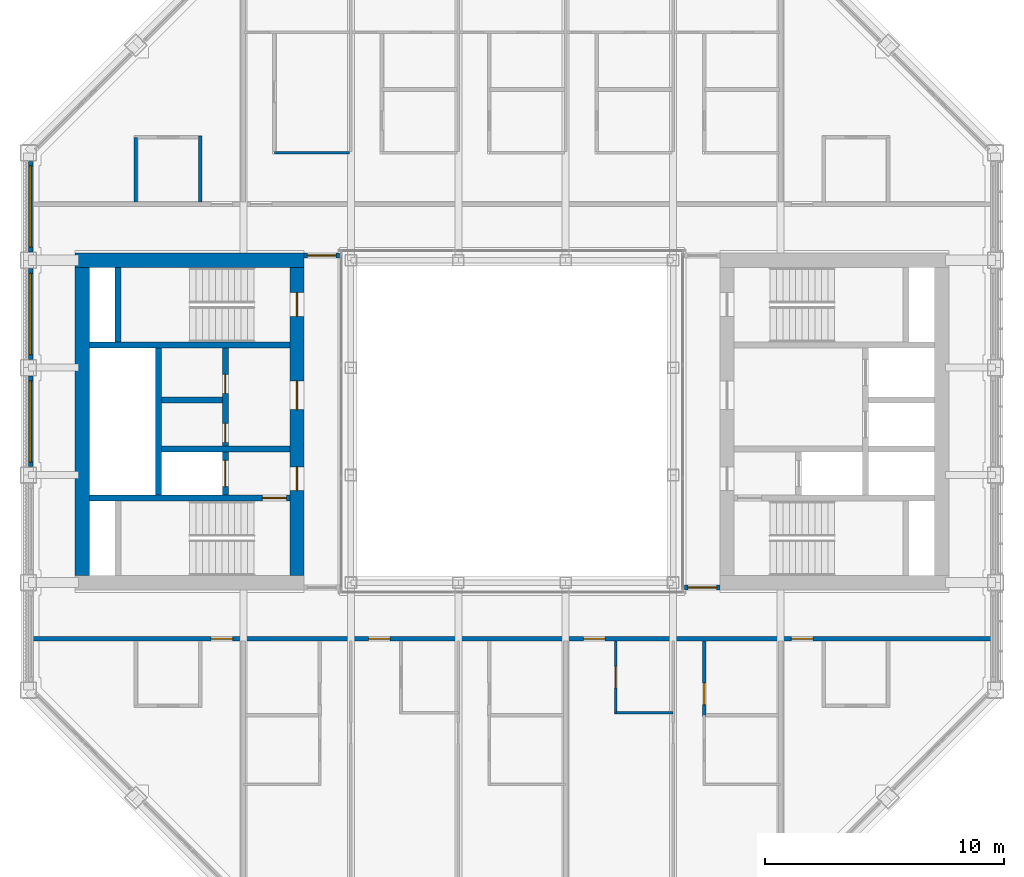
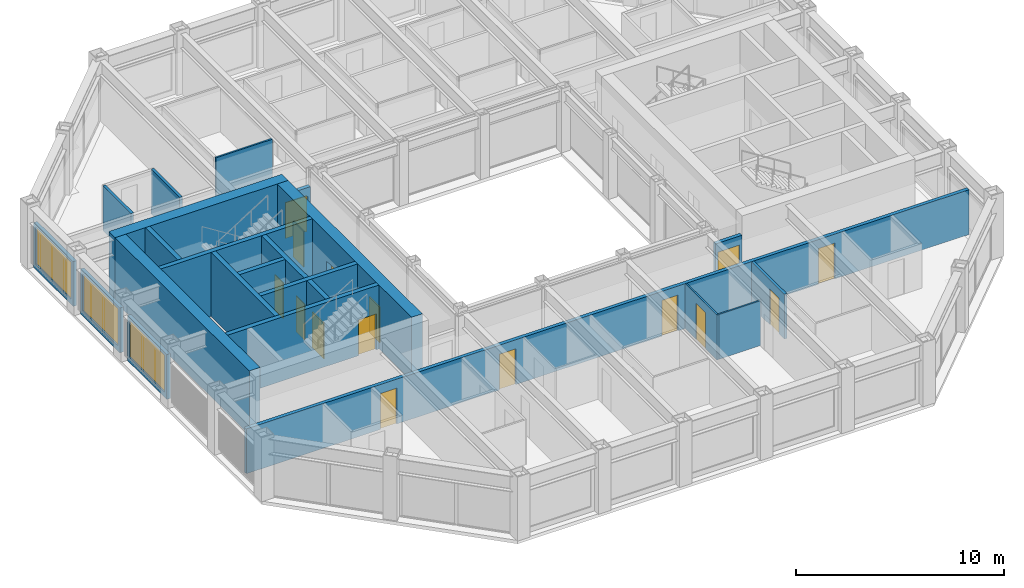
# One storey, part 10 of 18: 22 walls, 15 doors, 3 windows, 18 openings.
"""IFC4 building model written with IfcOpenShell, lengths in metres."""

from ifc_helpers import new_model, si_unit, direction, frame, frame_2d, origin, place, context, subcontext, project, spatial, rectangle, extrude, material, layer, layer_set, type_object, element, fill, save


model = new_model("IFC4")

# Units and contexts
model_context = context("Model", 3, precision=1e-05, world=origin(), true_north=direction((0.0, 1.0)))
body_context = subcontext(model_context, "Body", "Model", "MODEL_VIEW")
ifc_project = project(units=[si_unit("LENGTHUNIT", "METRE"), si_unit("AREAUNIT", "SQUARE_METRE"), si_unit("VOLUMEUNIT", "CUBIC_METRE"), si_unit("PLANEANGLEUNIT", "RADIAN"), si_unit("MASSUNIT", "GRAM", prefix="KILO")], contexts=[model_context])

# Site, building, storey
site_placement = place(None, origin())
site = spatial("IfcSite", under=ifc_project, at=site_placement, CompositionType="ELEMENT")
building_placement = place(site_placement, origin())
building = spatial("IfcBuilding", under=site, at=building_placement, Name="Msasa Ring Tower", CompositionType="ELEMENT")
storey_placement = place(building_placement, frame((0.0, 0.0, 245.800048828125)))
storey = spatial("IfcBuildingStorey", under=building, at=storey_placement, Name="L64", CompositionType="ELEMENT", Elevation=245.800048828125)

# Wall
ifc_material_1 = material(Name="Concrete C60/75", Category="concrete")
ifc_layer_1 = layer(ifc_material_1, 0.60009765625)
ifc_layer_set_1 = layer_set([ifc_layer_1], Name="CW3 CORE WALL 600")
wall_type_1 = type_object("IfcWallType", Name="CW3 CORE WALL 600", PredefinedType="SHEAR", material=ifc_layer_set_1)
wall_1_placement = place(storey_placement, frame((-8.699951171875, 6.75, 0.0), z_axis=(0.0, 0.0, 1.0), x_axis=(-1.0, 0.0, 0.0)))
element("IfcWall", 1, at=wall_1_placement, inside=storey, type_object=wall_type_1, Name="W core wall N L64", PredefinedType="SHEAR", context=body_context, shape_type="SweptSolid", body=[
    extrude(rectangle(XDim=9.60009765625, YDim=0.60009765625, at=frame_2d((4.800048828125, 0.0))), origin(), (0.0, 0.0, 1.0), 3.75),
])

# Wall, openings, doors
wall_2_placement = place(storey_placement, frame((-9.0, -6.449951171875, 0.0), z_axis=(0.0, 0.0, 1.0), x_axis=(0.0, 1.0, 0.0)))
wall_2 = element("IfcWall", 2, at=wall_2_placement, inside=storey, type_object=wall_type_1, Name="W core wall W L64", PredefinedType="SHEAR", context=body_context, shape_type="SweptSolid", body=[
    extrude(rectangle(XDim=12.89990234375, YDim=0.60009765625, at=frame_2d((6.449951171875, 0.0))), origin(), (0.0, 0.0, 1.0), 3.75),
])
opening_1_placement = place(wall_2_placement, frame((3.550048828125, 0.0, 0.0)))
opening_1 = element("IfcOpeningElement", 3, at=opening_1_placement, cuts=wall_2, Name="Opening SE-028", PredefinedType="OPENING", context=body_context, shape_type="SweptSolid", body=[
    extrude(rectangle(XDim=1.0, YDim=2.10009765625, at=frame_2d((0.5, 1.050048828125))), frame((0.0, 0.31005859375, 0.0), z_axis=(0.0, -1.0, 0.0), x_axis=(1.0, 0.0, 0.0)), (0.0, 0.0, 1.0), 0.6201171875),
])
opening_2_placement = place(wall_2_placement, frame((6.949951171875, 0.0, 0.0)))
opening_2 = element("IfcOpeningElement", 4, at=opening_2_placement, cuts=wall_2, Name="Opening SE-025", PredefinedType="OPENING", context=body_context, shape_type="SweptSolid", body=[
    extrude(rectangle(XDim=1.199951171875, YDim=2.10009765625, at=frame_2d((0.60009765625, 1.050048828125))), frame((0.0, 0.31005859375, 0.0), z_axis=(0.0, -1.0, 0.0), x_axis=(1.0, 0.0, 0.0)), (0.0, 0.0, 1.0), 0.6201171875),
])
opening_3_placement = place(wall_2_placement, frame((10.85009765625, 0.0, 0.0)))
opening_3 = element("IfcOpeningElement", 5, at=opening_3_placement, cuts=wall_2, Name="Opening SE-022", PredefinedType="OPENING", context=body_context, shape_type="SweptSolid", body=[
    extrude(rectangle(XDim=1.0, YDim=2.10009765625, at=frame_2d((0.5, 1.050048828125))), frame((0.0, 0.31005859375, 0.0), z_axis=(0.0, -1.0, 0.0), x_axis=(1.0, 0.0, 0.0)), (0.0, 0.0, 1.0), 0.6201171875),
])
ifc_material_2 = material(Name="Timber door leaf in a steel frame", Category="steel")
door_type_1 = type_object("IfcDoorType", Name="D4 LOBBY DOOR 1000x2100", OperationType="SINGLE_SWING_LEFT", PredefinedType="DOOR", material=ifc_material_2)
door_1_placement = place(opening_1_placement, origin())
door_1 = element("IfcDoor", 6, at=door_1_placement, inside=storey, type_object=door_type_1, Name="Door L64-WFFL", OperationType="SINGLE_SWING_LEFT", OverallHeight=2.10009765625, OverallWidth=1.0, PredefinedType="DOOR", context=body_context, shape_type="SweptSolid", body=[
    extrude(rectangle(XDim=1.0, YDim=2.10009765625, at=frame_2d((0.5, 1.050048828125))), frame((0.0, 0.02490234375, 0.0), z_axis=(0.0, -1.0, 0.0), x_axis=(1.0, 0.0, 0.0)), (0.0, 0.0, 1.0), 0.050048828125),
])
fill(opening_1, door_1)
ifc_material_3 = material(Name="Timber door leaf in a steel frame", Category="steel")
door_type_2 = type_object("IfcDoorType", Name="D5 WIDE LOBBY DOOR 1200x2100", OperationType="SINGLE_SWING_LEFT", PredefinedType="DOOR", material=ifc_material_3)
door_2_placement = place(opening_2_placement, origin())
door_2 = element("IfcDoor", 7, at=door_2_placement, inside=storey, type_object=door_type_2, Name="Door L64-WLL", OperationType="SINGLE_SWING_RIGHT", OverallHeight=2.10009765625, OverallWidth=1.199951171875, PredefinedType="DOOR", context=body_context, shape_type="SweptSolid", body=[
    extrude(rectangle(XDim=1.199951171875, YDim=2.10009765625, at=frame_2d((0.60009765625, 1.050048828125))), frame((0.0, 0.02490234375, 0.0), z_axis=(0.0, -1.0, 0.0), x_axis=(1.0, 0.0, 0.0)), (0.0, 0.0, 1.0), 0.050048828125),
])
fill(opening_2, door_2)
ifc_material_4 = material(Name="Timber door leaf in a steel frame", Category="steel")
door_type_3 = type_object("IfcDoorType", Name="D6 STAIR DOOR 1000x2100", OperationType="SINGLE_SWING_LEFT", PredefinedType="DOOR", material=ifc_material_4)
door_3_placement = place(opening_3_placement, origin())
door_3 = element("IfcDoor", 8, at=door_3_placement, inside=storey, type_object=door_type_3, Name="Door L64-WSTB", OperationType="SINGLE_SWING_RIGHT", OverallHeight=2.10009765625, OverallWidth=1.0, PredefinedType="DOOR", context=body_context, shape_type="SweptSolid", body=[
    extrude(rectangle(XDim=1.0, YDim=2.10009765625, at=frame_2d((0.5, 1.050048828125))), frame((0.0, 0.02490234375, 0.0), z_axis=(0.0, -1.0, 0.0), x_axis=(1.0, 0.0, 0.0)), (0.0, 0.0, 1.0), 0.050048828125),
])
fill(opening_3, door_3)

# Wall
wall_3_placement = place(storey_placement, frame((-18.0, -6.449951171875, 0.0), z_axis=(0.0, 0.0, 1.0), x_axis=(0.0, 1.0, 0.0)))
element("IfcWall", 9, at=wall_3_placement, inside=storey, type_object=wall_type_1, Name="W core wall E L64", PredefinedType="SHEAR", context=body_context, shape_type="SweptSolid", body=[
    extrude(rectangle(XDim=12.89990234375, YDim=0.60009765625, at=frame_2d((6.449951171875, 0.0))), origin(), (0.0, 0.0, 1.0), 3.75),
])

# Wall, opening, door
ifc_material_5 = material(Name="Concrete C60/75", Category="concrete")
ifc_layer_2 = layer(ifc_material_5, 0.25)
ifc_layer_set_2 = layer_set([ifc_layer_2], Name="CW4 CORE INNER WALL 250")
wall_type_2 = type_object("IfcWallType", Name="CW4 CORE INNER WALL 250", PredefinedType="SHEAR", material=ifc_layer_set_2)
wall_4_placement = place(storey_placement, frame((-9.300048828125, -3.199951171875, 0.0), z_axis=(0.0, 0.0, 1.0), x_axis=(-1.0, 0.0, 0.0)))
wall_4 = element("IfcWall", 10, at=wall_4_placement, inside=storey, type_object=wall_type_2, Name="W core wall STAIRA L64", PredefinedType="SHEAR", context=body_context, shape_type="SweptSolid", body=[
    extrude(rectangle(XDim=8.39990234375, YDim=0.25, at=frame_2d((4.199951171875, 0.0))), origin(), (0.0, 0.0, 1.0), 3.75),
])
opening_4_placement = place(wall_4_placement, frame((0.14990234375, 0.0, 0.0)))
opening_4 = element("IfcOpeningElement", 11, at=opening_4_placement, cuts=wall_4, Name="Opening SE-030", PredefinedType="OPENING", context=body_context, shape_type="SweptSolid", body=[
    extrude(rectangle(XDim=1.0, YDim=2.10009765625, at=frame_2d((0.5, 1.050048828125))), frame((0.0, 0.135009765625, 0.0), z_axis=(0.0, -1.0, 0.0), x_axis=(1.0, 0.0, 0.0)), (0.0, 0.0, 1.0), 0.27001953125),
])
door_4_placement = place(opening_4_placement, origin())
door_4 = element("IfcDoor", 12, at=door_4_placement, inside=storey, type_object=door_type_3, Name="Door L64-WSTA", OperationType="SINGLE_SWING_LEFT", OverallHeight=2.10009765625, OverallWidth=1.0, PredefinedType="DOOR", context=body_context, shape_type="SweptSolid", body=[
    extrude(rectangle(XDim=1.0, YDim=2.10009765625, at=frame_2d((0.5, 1.050048828125))), frame((0.0, 0.02490234375, 0.0), z_axis=(0.0, -1.0, 0.0), x_axis=(1.0, 0.0, 0.0)), (0.0, 0.0, 1.0), 0.050048828125),
])
fill(opening_4, door_4)

# Walls
wall_5_placement = place(storey_placement, frame((-9.300048828125, 3.199951171875, 0.0), z_axis=(0.0, 0.0, 1.0), x_axis=(-1.0, 0.0, 0.0)))
element("IfcWall", 13, at=wall_5_placement, inside=storey, type_object=wall_type_2, Name="W core wall STAIRB L64", PredefinedType="SHEAR", context=body_context, shape_type="SweptSolid", body=[
    extrude(rectangle(XDim=8.39990234375, YDim=0.25, at=frame_2d((4.199951171875, 0.0))), origin(), (0.0, 0.0, 1.0), 3.75),
])
wall_6_placement = place(storey_placement, frame((-16.5, 3.324951171875, 0.0), z_axis=(0.0, 0.0, 1.0), x_axis=(0.0, 1.0, 0.0)))
element("IfcWall", 14, at=wall_6_placement, inside=storey, type_object=wall_type_2, Name="W core wall RISERB L64", PredefinedType="SHEAR", context=body_context, shape_type="SweptSolid", body=[
    extrude(rectangle(XDim=3.125, YDim=0.25, at=frame_2d((1.5625, 0.0))), origin(), (0.0, 0.0, 1.0), 3.75),
])
wall_7_placement = place(storey_placement, frame((-9.300048828125, -1.14990234375, 0.0), z_axis=(0.0, 0.0, 1.0), x_axis=(-1.0, 0.0, 0.0)))
element("IfcWall", 15, at=wall_7_placement, inside=storey, type_object=wall_type_2, Name="W core wall FFL L64", PredefinedType="SHEAR", context=body_context, shape_type="SweptSolid", body=[
    extrude(rectangle(XDim=5.375, YDim=0.25, at=frame_2d((2.6875, 0.0))), origin(), (0.0, 0.0, 1.0), 3.75),
])

# Wall, openings, doors
wall_8_placement = place(storey_placement, frame((-12.0, -3.074951171875, 0.0), z_axis=(0.0, 0.0, 1.0), x_axis=(0.0, 1.0, 0.0)))
wall_8 = element("IfcWall", 16, at=wall_8_placement, inside=storey, type_object=wall_type_2, Name="W core wall LOBBY L64", PredefinedType="SHEAR", context=body_context, shape_type="SweptSolid", body=[
    extrude(rectangle(XDim=6.14990234375, YDim=0.25, at=frame_2d((3.074951171875, 0.0))), origin(), (0.0, 0.0, 1.0), 3.75),
])
opening_5_placement = place(wall_8_placement, frame((2.199951171875, 0.0, 0.0)))
opening_5 = element("IfcOpeningElement", 17, at=opening_5_placement, cuts=wall_8, Name="Opening SE-027", PredefinedType="OPENING", context=body_context, shape_type="SweptSolid", body=[
    extrude(rectangle(XDim=0.800048828125, YDim=2.10009765625, at=frame_2d((0.39990234375, 1.050048828125))), frame((0.0, 0.135009765625, 0.0), z_axis=(0.0, -1.0, 0.0), x_axis=(1.0, 0.0, 0.0)), (0.0, 0.0, 1.0), 0.27001953125),
])
opening_6_placement = place(wall_8_placement, frame((4.25, 0.0, 0.0)))
opening_6 = element("IfcOpeningElement", 18, at=opening_6_placement, cuts=wall_8, Name="Opening SE-024", PredefinedType="OPENING", context=body_context, shape_type="SweptSolid", body=[
    extrude(rectangle(XDim=0.800048828125, YDim=2.10009765625, at=frame_2d((0.39990234375, 1.050048828125))), frame((0.0, 0.135009765625, 0.0), z_axis=(0.0, -1.0, 0.0), x_axis=(1.0, 0.0, 0.0)), (0.0, 0.0, 1.0), 0.27001953125),
])
opening_7_placement = place(wall_8_placement, frame((0.35009765625, 0.0, 0.0)))
opening_7 = element("IfcOpeningElement", 19, at=opening_7_placement, cuts=wall_8, Name="Opening LD1", PredefinedType="OPENING", context=body_context, shape_type="SweptSolid", body=[
    extrude(rectangle(XDim=1.10009765625, YDim=2.10009765625, at=frame_2d((0.550048828125, 1.050048828125))), frame((0.0, 0.135009765625, 0.0), z_axis=(0.0, -1.0, 0.0), x_axis=(1.0, 0.0, 0.0)), (0.0, 0.0, 1.0), 0.27001953125),
])
ifc_material_6 = material(Name="Timber door leaf in a steel frame", Category="steel")
door_type_4 = type_object("IfcDoorType", Name="D9 NARROW SERVICE DOOR 800x2100", OperationType="SINGLE_SWING_LEFT", PredefinedType="DOOR", material=ifc_material_6)
door_5_placement = place(opening_5_placement, origin())
door_5 = element("IfcDoor", 20, at=door_5_placement, inside=storey, type_object=door_type_4, Name="Door L64-WR1", OperationType="SINGLE_SWING_LEFT", OverallHeight=2.10009765625, OverallWidth=0.800048828125, PredefinedType="DOOR", context=body_context, shape_type="SweptSolid", body=[
    extrude(rectangle(XDim=0.800048828125, YDim=2.10009765625, at=frame_2d((0.39990234375, 1.050048828125))), frame((0.0, 0.02490234375, 0.0), z_axis=(0.0, -1.0, 0.0), x_axis=(1.0, 0.0, 0.0)), (0.0, 0.0, 1.0), 0.050048828125),
])
fill(opening_5, door_5)
door_6_placement = place(opening_6_placement, origin())
door_6 = element("IfcDoor", 21, at=door_6_placement, inside=storey, type_object=door_type_4, Name="Door L64-WR2", OperationType="SINGLE_SWING_RIGHT", OverallHeight=2.10009765625, OverallWidth=0.800048828125, PredefinedType="DOOR", context=body_context, shape_type="SweptSolid", body=[
    extrude(rectangle(XDim=0.800048828125, YDim=2.10009765625, at=frame_2d((0.39990234375, 1.050048828125))), frame((0.0, 0.02490234375, 0.0), z_axis=(0.0, -1.0, 0.0), x_axis=(1.0, 0.0, 0.0)), (0.0, 0.0, 1.0), 0.050048828125),
])
fill(opening_6, door_6)
ifc_material_7 = material(Name="Stainless steel lift landing door", Category="steel")
door_type_5 = type_object("IfcDoorType", Name="LD1 LIFT LANDING DOOR 1100x2100", OperationType="DOUBLE_DOOR_SLIDING", PredefinedType="DOOR", material=ifc_material_7)
door_7_placement = place(opening_7_placement, origin())
door_7 = element("IfcDoor", 22, at=door_7_placement, inside=storey, type_object=door_type_5, Name="Lift landing door FL-W L64", OperationType="DOUBLE_DOOR_SLIDING", OverallHeight=2.10009765625, OverallWidth=1.10009765625, PredefinedType="DOOR", context=body_context, shape_type="SweptSolid", body=[
    extrude(rectangle(XDim=1.10009765625, YDim=2.10009765625, at=frame_2d((0.550048828125, 1.050048828125))), frame((0.0, 0.02490234375, 0.0), z_axis=(0.0, -1.0, 0.0), x_axis=(1.0, 0.0, 0.0)), (0.0, 0.0, 1.0), 0.050048828125),
])
fill(opening_7, door_7)

# Walls
wall_9_placement = place(storey_placement, frame((-14.800048828125, -3.074951171875, 0.0), z_axis=(0.0, 0.0, 1.0), x_axis=(0.0, 1.0, 0.0)))
element("IfcWall", 23, at=wall_9_placement, inside=storey, type_object=wall_type_2, Name="W core wall SHAFT L64", PredefinedType="SHEAR", context=body_context, shape_type="SweptSolid", body=[
    extrude(rectangle(XDim=6.14990234375, YDim=0.25, at=frame_2d((3.074951171875, 0.0))), origin(), (0.0, 0.0, 1.0), 3.75),
])
wall_10_placement = place(storey_placement, frame((-12.125, 0.89990234375, 0.0), z_axis=(0.0, 0.0, 1.0), x_axis=(-1.0, 0.0, 0.0)))
element("IfcWall", 24, at=wall_10_placement, inside=storey, type_object=wall_type_2, Name="W core wall LIFT1 L64", PredefinedType="SHEAR", context=body_context, shape_type="SweptSolid", body=[
    extrude(rectangle(XDim=2.550048828125, YDim=0.25, at=frame_2d((1.27490234375, 0.0))), origin(), (0.0, 0.0, 1.0), 3.75),
])

# Wall, opening, window
ifc_material_8 = material(Name="Terracotta rainscreen on blockwork", Category="masonry")
ifc_layer_3 = layer(ifc_material_8, 0.199951171875)
ifc_layer_set_3 = layer_set([ifc_layer_3], Name="FW1 TERRACOTTA-LINED INFILL BAY WALL 200")
wall_type_3 = type_object("IfcWallType", Name="FW1 TERRACOTTA-LINED INFILL BAY WALL 200", PredefinedType="SOLIDWALL", material=ifc_layer_set_3)
wall_11_placement = place(storey_placement, frame((-20.14990234375, -1.89501953125, 0.0), z_axis=(0.0, 0.0, 1.0), x_axis=(0.0, 1.0, 0.0)))
wall_11 = element("IfcWall", 25, at=wall_11_placement, inside=storey, type_object=wall_type_3, Name="Infill bay wall W L64 23", PredefinedType="SOLIDWALL", context=body_context, shape_type="SweptSolid", body=[
    extrude(rectangle(XDim=3.7900390625, YDim=0.199951171875, at=frame_2d((1.89501953125, 0.0))), origin(), (0.0, 0.0, 1.0), 2.62890625),
])
opening_8_placement = place(wall_11_placement, frame((0.195068359375, 0.0, 0.300048828125)))
opening_8 = element("IfcOpeningElement", 26, at=opening_8_placement, cuts=wall_11, Name="Opening WN3", PredefinedType="OPENING", context=body_context, shape_type="SweptSolid", body=[
    extrude(rectangle(XDim=3.39990234375, YDim=2.178955078125, at=frame_2d((1.699951171875, 1.08935546875))), frame((0.0, 0.10986328125, 0.0), z_axis=(0.0, -1.0, 0.0), x_axis=(1.0, 0.0, 0.0)), (0.0, 0.0, 1.0), 0.219970703125),
])
ifc_material_9 = material(Name="Aluminium frame with clear glass", Category="aluminium")
window_type = type_object("IfcWindowType", Name="WN3 SUITE WINDOW 3400x2179", PartitioningType="SINGLE_PANEL", PredefinedType="WINDOW", material=ifc_material_9)
window_1_placement = place(opening_8_placement, origin())
window_1 = element("IfcWindow", 27, at=window_1_placement, inside=storey, type_object=window_type, Name="Window W L64 23", OverallHeight=2.178955078125, OverallWidth=3.39990234375, PartitioningType="SINGLE_PANEL", PredefinedType="WINDOW", context=body_context, shape_type="SweptSolid", body=[
    extrude(rectangle(XDim=3.39990234375, YDim=2.178955078125, at=frame_2d((1.699951171875, 1.08935546875))), frame((0.0, 0.030029296875, 0.0), z_axis=(0.0, -1.0, 0.0), x_axis=(1.0, 0.0, 0.0)), (0.0, 0.0, 1.0), 0.06005859375),
])
fill(opening_8, window_1)

wall_12_placement = place(storey_placement, frame((-20.14990234375, 2.60498046875, 0.0), z_axis=(0.0, 0.0, 1.0), x_axis=(0.0, 1.0, 0.0)))
wall_12 = element("IfcWall", 28, at=wall_12_placement, inside=storey, type_object=wall_type_3, Name="Infill bay wall W L64 24", PredefinedType="SOLIDWALL", context=body_context, shape_type="SweptSolid", body=[
    extrude(rectangle(XDim=3.7900390625, YDim=0.199951171875, at=frame_2d((1.89501953125, 0.0))), origin(), (0.0, 0.0, 1.0), 2.62890625),
])
opening_9_placement = place(wall_12_placement, frame((0.195068359375, 0.0, 0.300048828125)))
opening_9 = element("IfcOpeningElement", 29, at=opening_9_placement, cuts=wall_12, Name="Opening WN3", PredefinedType="OPENING", context=body_context, shape_type="SweptSolid", body=[
    extrude(rectangle(XDim=3.39990234375, YDim=2.178955078125, at=frame_2d((1.699951171875, 1.08935546875))), frame((0.0, 0.10986328125, 0.0), z_axis=(0.0, -1.0, 0.0), x_axis=(1.0, 0.0, 0.0)), (0.0, 0.0, 1.0), 0.219970703125),
])
window_2_placement = place(opening_9_placement, origin())
window_2 = element("IfcWindow", 30, at=window_2_placement, inside=storey, type_object=window_type, Name="Window W L64 24", OverallHeight=2.178955078125, OverallWidth=3.39990234375, PartitioningType="SINGLE_PANEL", PredefinedType="WINDOW", context=body_context, shape_type="SweptSolid", body=[
    extrude(rectangle(XDim=3.39990234375, YDim=2.178955078125, at=frame_2d((1.699951171875, 1.08935546875))), frame((0.0, 0.030029296875, 0.0), z_axis=(0.0, -1.0, 0.0), x_axis=(1.0, 0.0, 0.0)), (0.0, 0.0, 1.0), 0.06005859375),
])
fill(opening_9, window_2)

wall_13_placement = place(storey_placement, frame((-20.14990234375, 7.10498046875, 0.0), z_axis=(0.0, 0.0, 1.0), x_axis=(0.0, 1.0, 0.0)))
wall_13 = element("IfcWall", 31, at=wall_13_placement, inside=storey, type_object=wall_type_3, Name="Infill bay wall W L64 25", PredefinedType="SOLIDWALL", context=body_context, shape_type="SweptSolid", body=[
    extrude(rectangle(XDim=3.7900390625, YDim=0.199951171875, at=frame_2d((1.89501953125, 0.0))), origin(), (0.0, 0.0, 1.0), 2.62890625),
])
opening_10_placement = place(wall_13_placement, frame((0.195068359375, 0.0, 0.300048828125)))
opening_10 = element("IfcOpeningElement", 32, at=opening_10_placement, cuts=wall_13, Name="Opening WN3", PredefinedType="OPENING", context=body_context, shape_type="SweptSolid", body=[
    extrude(rectangle(XDim=3.39990234375, YDim=2.178955078125, at=frame_2d((1.699951171875, 1.08935546875))), frame((0.0, 0.10986328125, 0.0), z_axis=(0.0, -1.0, 0.0), x_axis=(1.0, 0.0, 0.0)), (0.0, 0.0, 1.0), 0.219970703125),
])
window_3_placement = place(opening_10_placement, origin())
window_3 = element("IfcWindow", 33, at=window_3_placement, inside=storey, type_object=window_type, Name="Window W L64 25", OverallHeight=2.178955078125, OverallWidth=3.39990234375, PartitioningType="SINGLE_PANEL", PredefinedType="WINDOW", context=body_context, shape_type="SweptSolid", body=[
    extrude(rectangle(XDim=3.39990234375, YDim=2.178955078125, at=frame_2d((1.699951171875, 1.08935546875))), frame((0.0, 0.030029296875, 0.0), z_axis=(0.0, -1.0, 0.0), x_axis=(1.0, 0.0, 0.0)), (0.0, 0.0, 1.0), 0.06005859375),
])
fill(opening_10, window_3)

# Wall, opening, door
ifc_material_10 = material(Name="Concrete blockwork", Category="masonry")
ifc_layer_4 = layer(ifc_material_10, 0.199951171875)
ifc_layer_set_4 = layer_set([ifc_layer_4], Name="PT1 CORRIDOR WALL 200")
wall_type_4 = type_object("IfcWallType", Name="PT1 CORRIDOR WALL 200", PredefinedType="PARTITIONING", material=ifc_layer_set_4)
wall_14_placement = place(storey_placement, frame((7.22998046875, -6.949951171875, 0.0), z_axis=(0.0, 0.0, 1.0), x_axis=(1.0, 0.0, 0.0)))
wall_14 = element("IfcWall", 34, at=wall_14_placement, inside=storey, type_object=wall_type_4, Name="Corridor wall L64-SDES", PredefinedType="PARTITIONING", context=body_context, shape_type="SweptSolid", body=[
    extrude(rectangle(XDim=1.469970703125, YDim=0.199951171875, at=frame_2d((0.73486328125, 0.0))), origin(), (0.0, 0.0, 1.0), 2.62890625),
])
opening_11_placement = place(wall_14_placement, frame((0.135009765625, 0.0, 0.0)))
opening_11 = element("IfcOpeningElement", 35, at=opening_11_placement, cuts=wall_14, Name="Opening SE-033", PredefinedType="OPENING", context=body_context, shape_type="SweptSolid", body=[
    extrude(rectangle(XDim=1.199951171875, YDim=2.10009765625, at=frame_2d((0.60009765625, 1.050048828125))), frame((0.0, 0.10986328125, 0.0), z_axis=(0.0, -1.0, 0.0), x_axis=(1.0, 0.0, 0.0)), (0.0, 0.0, 1.0), 0.219970703125),
])
ifc_material_11 = material(Name="Timber door leaf in a steel frame", Category="steel")
door_type_6 = type_object("IfcDoorType", Name="D25 CORRIDOR PAIR OF SMOKE DOORS 1200x2100", OperationType="DOUBLE_DOOR_DOUBLE_SWING", PredefinedType="DOOR", material=ifc_material_11)
door_8_placement = place(opening_11_placement, origin())
door_8 = element("IfcDoor", 36, at=door_8_placement, inside=storey, type_object=door_type_6, Name="Door L64-SDES", OperationType="DOUBLE_DOOR_DOUBLE_SWING", OverallHeight=2.10009765625, OverallWidth=1.199951171875, PredefinedType="DOOR", context=body_context, shape_type="SweptSolid", body=[
    extrude(rectangle(XDim=1.199951171875, YDim=2.10009765625, at=frame_2d((0.60009765625, 1.050048828125))), frame((0.0, 0.02490234375, 0.0), z_axis=(0.0, -1.0, 0.0), x_axis=(1.0, 0.0, 0.0)), (0.0, 0.0, 1.0), 0.050048828125),
])
fill(opening_11, door_8)

wall_15_placement = place(storey_placement, frame((-8.699951171875, 6.949951171875, 0.0), z_axis=(0.0, 0.0, 1.0), x_axis=(1.0, 0.0, 0.0)))
wall_15 = element("IfcWall", 37, at=wall_15_placement, inside=storey, type_object=wall_type_4, Name="Corridor wall L64-SDWN", PredefinedType="PARTITIONING", context=body_context, shape_type="SweptSolid", body=[
    extrude(rectangle(XDim=1.469970703125, YDim=0.199951171875, at=frame_2d((0.73486328125, 0.0))), origin(), (0.0, 0.0, 1.0), 2.62890625),
])
opening_12_placement = place(wall_15_placement, frame((0.135009765625, 0.0, 0.0)))
opening_12 = element("IfcOpeningElement", 38, at=opening_12_placement, cuts=wall_15, Name="Opening SE-020", PredefinedType="OPENING", context=body_context, shape_type="SweptSolid", body=[
    extrude(rectangle(XDim=1.199951171875, YDim=2.10009765625, at=frame_2d((0.60009765625, 1.050048828125))), frame((0.0, 0.10986328125, 0.0), z_axis=(0.0, -1.0, 0.0), x_axis=(1.0, 0.0, 0.0)), (0.0, 0.0, 1.0), 0.219970703125),
])
door_9_placement = place(opening_12_placement, origin())
door_9 = element("IfcDoor", 39, at=door_9_placement, inside=storey, type_object=door_type_6, Name="Door L64-SDWN", OperationType="DOUBLE_DOOR_DOUBLE_SWING", OverallHeight=2.10009765625, OverallWidth=1.199951171875, PredefinedType="DOOR", context=body_context, shape_type="SweptSolid", body=[
    extrude(rectangle(XDim=1.199951171875, YDim=2.10009765625, at=frame_2d((0.60009765625, 1.050048828125))), frame((0.0, 0.02490234375, 0.0), z_axis=(0.0, -1.0, 0.0), x_axis=(1.0, 0.0, 0.0)), (0.0, 0.0, 1.0), 0.050048828125),
])
fill(opening_12, door_9)

# Wall, openings, doors
wall_16_placement = place(storey_placement, frame((-20.050048828125, -9.10009765625, 0.0), z_axis=(0.0, 0.0, 1.0), x_axis=(1.0, 0.0, 0.0)))
wall_16 = element("IfcWall", 40, at=wall_16_placement, inside=storey, type_object=wall_type_4, Name="Corridor wall L64-CORRS0", PredefinedType="PARTITIONING", context=body_context, shape_type="SweptSolid", body=[
    extrude(rectangle(XDim=40.10009765625, YDim=0.199951171875, at=frame_2d((20.050048828125, 0.0))), origin(), (0.0, 0.0, 1.0), 2.62890625),
])
opening_13_placement = place(wall_16_placement, frame((14.050048828125, 0.0, 0.0)))
opening_13 = element("IfcOpeningElement", 41, at=opening_13_placement, cuts=wall_16, Name="Opening SE-035", PredefinedType="OPENING", context=body_context, shape_type="SweptSolid", body=[
    extrude(rectangle(XDim=0.89990234375, YDim=2.10009765625, at=frame_2d((0.449951171875, 1.050048828125))), frame((0.0, 0.10986328125, 0.0), z_axis=(0.0, -1.0, 0.0), x_axis=(1.0, 0.0, 0.0)), (0.0, 0.0, 1.0), 0.219970703125),
])
opening_14_placement = place(wall_16_placement, frame((23.050048828125, 0.0, 0.0)))
opening_14 = element("IfcOpeningElement", 42, at=opening_14_placement, cuts=wall_16, Name="Opening SE-036", PredefinedType="OPENING", context=body_context, shape_type="SweptSolid", body=[
    extrude(rectangle(XDim=0.89990234375, YDim=2.10009765625, at=frame_2d((0.449951171875, 1.050048828125))), frame((0.0, 0.10986328125, 0.0), z_axis=(0.0, -1.0, 0.0), x_axis=(1.0, 0.0, 0.0)), (0.0, 0.0, 1.0), 0.219970703125),
])
opening_15_placement = place(wall_16_placement, frame((31.75, 0.0, 0.0)))
opening_15 = element("IfcOpeningElement", 43, at=opening_15_placement, cuts=wall_16, Name="Opening SE-037", PredefinedType="OPENING", context=body_context, shape_type="SweptSolid", body=[
    extrude(rectangle(XDim=0.89990234375, YDim=2.10009765625, at=frame_2d((0.449951171875, 1.050048828125))), frame((0.0, 0.10986328125, 0.0), z_axis=(0.0, -1.0, 0.0), x_axis=(1.0, 0.0, 0.0)), (0.0, 0.0, 1.0), 0.219970703125),
])
opening_16_placement = place(wall_16_placement, frame((7.449951171875, 0.0, 0.0)))
opening_16 = element("IfcOpeningElement", 44, at=opening_16_placement, cuts=wall_16, Name="Opening SE-034", PredefinedType="OPENING", context=body_context, shape_type="SweptSolid", body=[
    extrude(rectangle(XDim=0.89990234375, YDim=2.10009765625, at=frame_2d((0.449951171875, 1.050048828125))), frame((0.0, 0.10986328125, 0.0), z_axis=(0.0, -1.0, 0.0), x_axis=(1.0, 0.0, 0.0)), (0.0, 0.0, 1.0), 0.219970703125),
])
ifc_material_12 = material(Name="Timber door leaf in a steel frame", Category="steel")
door_type_7 = type_object("IfcDoorType", Name="D2 ENTRANCE DOOR 900x2100", OperationType="SINGLE_SWING_LEFT", PredefinedType="DOOR", material=ifc_material_12)
door_10_placement = place(opening_13_placement, origin())
door_10 = element("IfcDoor", 45, at=door_10_placement, inside=storey, type_object=door_type_7, Name="Door L64-JS00", OperationType="SINGLE_SWING_LEFT", OverallHeight=2.10009765625, OverallWidth=0.89990234375, PredefinedType="DOOR", context=body_context, shape_type="SweptSolid", body=[
    extrude(rectangle(XDim=0.89990234375, YDim=2.10009765625, at=frame_2d((0.449951171875, 1.050048828125))), frame((0.0, 0.02490234375, 0.0), z_axis=(0.0, -1.0, 0.0), x_axis=(1.0, 0.0, 0.0)), (0.0, 0.0, 1.0), 0.050048828125),
])
fill(opening_13, door_10)
door_11_placement = place(opening_14_placement, origin())
door_11 = element("IfcDoor", 46, at=door_11_placement, inside=storey, type_object=door_type_7, Name="Door L64-JS01", OperationType="SINGLE_SWING_RIGHT", OverallHeight=2.10009765625, OverallWidth=0.89990234375, PredefinedType="DOOR", context=body_context, shape_type="SweptSolid", body=[
    extrude(rectangle(XDim=0.89990234375, YDim=2.10009765625, at=frame_2d((0.449951171875, 1.050048828125))), frame((0.0, 0.02490234375, 0.0), z_axis=(0.0, -1.0, 0.0), x_axis=(1.0, 0.0, 0.0)), (0.0, 0.0, 1.0), 0.050048828125),
])
fill(opening_14, door_11)
door_12_placement = place(opening_15_placement, origin())
door_12 = element("IfcDoor", 47, at=door_12_placement, inside=storey, type_object=door_type_7, Name="Door L64-CSSE", OperationType="SINGLE_SWING_RIGHT", OverallHeight=2.10009765625, OverallWidth=0.89990234375, PredefinedType="DOOR", context=body_context, shape_type="SweptSolid", body=[
    extrude(rectangle(XDim=0.89990234375, YDim=2.10009765625, at=frame_2d((0.449951171875, 1.050048828125))), frame((0.0, 0.02490234375, 0.0), z_axis=(0.0, -1.0, 0.0), x_axis=(1.0, 0.0, 0.0)), (0.0, 0.0, 1.0), 0.050048828125),
])
fill(opening_15, door_12)
door_13_placement = place(opening_16_placement, origin())
door_13 = element("IfcDoor", 48, at=door_13_placement, inside=storey, type_object=door_type_7, Name="Door L64-CSSW", OperationType="SINGLE_SWING_LEFT", OverallHeight=2.10009765625, OverallWidth=0.89990234375, PredefinedType="DOOR", context=body_context, shape_type="SweptSolid", body=[
    extrude(rectangle(XDim=0.89990234375, YDim=2.10009765625, at=frame_2d((0.449951171875, 1.050048828125))), frame((0.0, 0.02490234375, 0.0), z_axis=(0.0, -1.0, 0.0), x_axis=(1.0, 0.0, 0.0)), (0.0, 0.0, 1.0), 0.050048828125),
])
fill(opening_16, door_13)

# Wall
ifc_material_13 = material(Name="Gypsum board on steel studs", Category="steel")
ifc_layer_5 = layer(ifc_material_13, 0.10009765625)
ifc_layer_set_5 = layer_set([ifc_layer_5], Name="PT2 STUD PARTITION 100")
wall_type_5 = type_object("IfcWallType", Name="PT2 STUD PARTITION 100", PredefinedType="PARTITIONING", material=ifc_layer_set_5)
wall_17_placement = place(storey_placement, frame((-9.949951171875, 11.25, 0.0), z_axis=(0.0, 0.0, 1.0), x_axis=(1.0, 0.0, 0.0)))
element("IfcWall", 49, at=wall_17_placement, inside=storey, type_object=wall_type_5, Name="Partition L64-JN00HY0", PredefinedType="PARTITIONING", context=body_context, shape_type="SweptSolid", body=[
    extrude(rectangle(XDim=3.139892578125, YDim=0.10009765625, at=frame_2d((1.56982421875, 0.0))), origin(), (0.0, 0.0, 1.0), 2.62890625),
])

# Wall, opening, door
wall_18_placement = place(storey_placement, frame((4.35009765625, -12.25, 0.0), z_axis=(0.0, 0.0, 1.0), x_axis=(0.0, 1.0, 0.0)))
wall_18 = element("IfcWall", 50, at=wall_18_placement, inside=storey, type_object=wall_type_5, Name="Partition L64-JS01PNX", PredefinedType="PARTITIONING", context=body_context, shape_type="SweptSolid", body=[
    extrude(rectangle(XDim=3.050048828125, YDim=0.10009765625, at=frame_2d((1.52490234375, 0.0))), origin(), (0.0, 0.0, 1.0), 2.62890625),
])
opening_17_placement = place(wall_18_placement, frame((1.10009765625, 0.0, 0.0)))
opening_17 = element("IfcOpeningElement", 51, at=opening_17_placement, cuts=wall_18, Name="Opening SE-039", PredefinedType="OPENING", context=body_context, shape_type="SweptSolid", body=[
    extrude(rectangle(XDim=0.89990234375, YDim=2.10009765625, at=frame_2d((0.449951171875, 1.050048828125))), frame((0.0, 0.06005859375, 0.0), z_axis=(0.0, -1.0, 0.0), x_axis=(1.0, 0.0, 0.0)), (0.0, 0.0, 1.0), 0.1201171875),
])
ifc_material_14 = material(Name="Timber door leaf in a steel frame", Category="steel")
door_type_8 = type_object("IfcDoorType", Name="D22 INTERNAL HALL DOOR 900x2100", OperationType="SINGLE_SWING_LEFT", PredefinedType="DOOR", material=ifc_material_14)
door_14_placement = place(opening_17_placement, origin())
door_14 = element("IfcDoor", 52, at=door_14_placement, inside=storey, type_object=door_type_8, Name="Door L64-JS01PN", OperationType="SINGLE_SWING_LEFT", OverallHeight=2.10009765625, OverallWidth=0.89990234375, PredefinedType="DOOR", context=body_context, shape_type="SweptSolid", body=[
    extrude(rectangle(XDim=0.89990234375, YDim=2.10009765625, at=frame_2d((0.449951171875, 1.050048828125))), frame((0.0, 0.02490234375, 0.0), z_axis=(0.0, -1.0, 0.0), x_axis=(1.0, 0.0, 0.0)), (0.0, 0.0, 1.0), 0.050048828125),
])
fill(opening_17, door_14)

# Walls
wall_19_placement = place(storey_placement, frame((4.35009765625, -12.199951171875, 0.0), z_axis=(0.0, 0.0, 1.0), x_axis=(1.0, 0.0, 0.0)))
element("IfcWall", 53, at=wall_19_placement, inside=storey, type_object=wall_type_5, Name="Partition L64-JS01PNY", PredefinedType="PARTITIONING", context=body_context, shape_type="SweptSolid", body=[
    extrude(rectangle(XDim=2.39990234375, YDim=0.10009765625, at=frame_2d((1.199951171875, 0.0))), origin(), (0.0, 0.0, 1.0), 2.62890625),
])
ifc_material_15 = material(Name="Moisture-resistant board on steel studs with a concealed cistern and pipe void, tiled", Category="steel")
ifc_layer_6 = layer(ifc_material_15, 0.14990234375)
ifc_layer_set_6 = layer_set([ifc_layer_6], Name="PT4 BATHROOM WET WALL 150")
wall_type_6 = type_object("IfcWallType", Name="PT4 BATHROOM WET WALL 150", PredefinedType="PARTITIONING", material=ifc_layer_set_6)
wall_20_placement = place(storey_placement, frame((-13.050048828125, 9.199951171875, 0.0), z_axis=(0.0, 0.0, 1.0), x_axis=(0.0, 1.0, 0.0)))
element("IfcWall", 54, at=wall_20_placement, inside=storey, type_object=wall_type_6, Name="Partition L64-CSNWBX", PredefinedType="PARTITIONING", context=body_context, shape_type="SweptSolid", body=[
    extrude(rectangle(XDim=2.75, YDim=0.14990234375, at=frame_2d((1.375, 0.0))), origin(), (0.0, 0.0, 1.0), 2.62890625),
])
wall_21_placement = place(storey_placement, frame((-15.75, 9.199951171875, 0.0), z_axis=(0.0, 0.0, 1.0), x_axis=(0.0, 1.0, 0.0)))
element("IfcWall", 55, at=wall_21_placement, inside=storey, type_object=wall_type_6, Name="Partition L64-CSNWBE", PredefinedType="PARTITIONING", context=body_context, shape_type="SweptSolid", body=[
    extrude(rectangle(XDim=2.699951171875, YDim=0.14990234375, at=frame_2d((1.35009765625, 0.0))), origin(), (0.0, 0.0, 1.0), 2.62890625),
])

# Wall, opening, door
wall_22_placement = place(storey_placement, frame((8.050048828125, -12.35009765625, 0.0), z_axis=(0.0, 0.0, 1.0), x_axis=(0.0, 1.0, 0.0)))
wall_22 = element("IfcWall", 56, at=wall_22_placement, inside=storey, type_object=wall_type_6, Name="Partition L64-JS01BX1", PredefinedType="PARTITIONING", context=body_context, shape_type="SweptSolid", body=[
    extrude(rectangle(XDim=3.150146484375, YDim=0.14990234375, at=frame_2d((1.5751953125, 0.0))), origin(), (0.0, 0.0, 1.0), 2.62890625),
])
opening_18_placement = place(wall_22_placement, frame((0.5, 0.0, 0.0)))
opening_18 = element("IfcOpeningElement", 57, at=opening_18_placement, cuts=wall_22, Name="Opening SE-042", PredefinedType="OPENING", context=body_context, shape_type="SweptSolid", body=[
    extrude(rectangle(XDim=0.89990234375, YDim=2.10009765625, at=frame_2d((0.449951171875, 1.050048828125))), frame((0.0, 0.0849609375, 0.0), z_axis=(0.0, -1.0, 0.0), x_axis=(1.0, 0.0, 0.0)), (0.0, 0.0, 1.0), 0.169921875),
])
ifc_material_16 = material(Name="Timber door leaf in a steel frame", Category="steel")
door_type_9 = type_object("IfcDoorType", Name="D3 BATHROOM DOOR 900x2100", OperationType="SINGLE_SWING_LEFT", PredefinedType="DOOR", material=ifc_material_16)
door_15_placement = place(opening_18_placement, origin())
door_15 = element("IfcDoor", 58, at=door_15_placement, inside=storey, type_object=door_type_9, Name="Door L64-JS01B1", OperationType="SINGLE_SWING_LEFT", OverallHeight=2.10009765625, OverallWidth=0.89990234375, PredefinedType="DOOR", context=body_context, shape_type="SweptSolid", body=[
    extrude(rectangle(XDim=0.89990234375, YDim=2.10009765625, at=frame_2d((0.449951171875, 1.050048828125))), frame((0.0, 0.02490234375, 0.0), z_axis=(0.0, -1.0, 0.0), x_axis=(1.0, 0.0, 0.0)), (0.0, 0.0, 1.0), 0.050048828125),
])
fill(opening_18, door_15)

save(model, "model.ifc")
